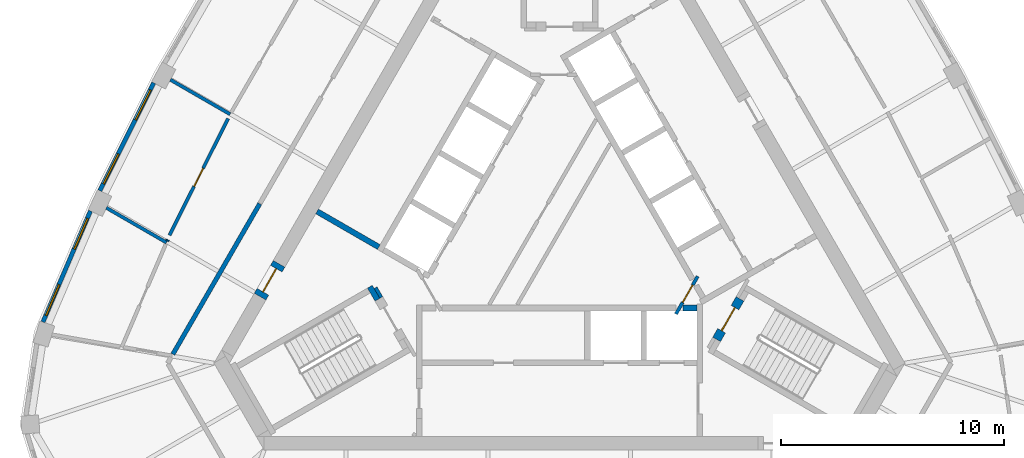
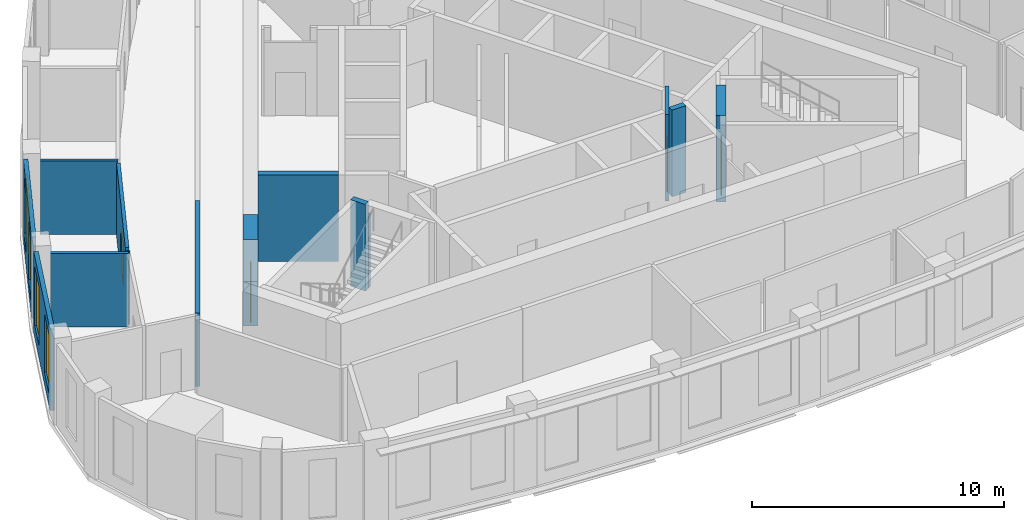
# One storey, part 4 of 10: 14 walls, 4 doors, 4 windows, 8 openings.
"""IFC4 building model written with IfcOpenShell, lengths in metres."""

from ifc_helpers import new_model, si_unit, direction, frame, frame_2d, origin, place, context, subcontext, project, spatial, rectangle, extrude, material, layer, layer_set, type_object, element, fill, save


model = new_model("IFC4")

# Units and contexts
model_context = context("Model", 3, precision=1e-05, world=origin(), true_north=direction((0.0, 1.0)))
body_context = subcontext(model_context, "Body", "Model", "MODEL_VIEW")
ifc_project = project(units=[si_unit("LENGTHUNIT", "METRE"), si_unit("AREAUNIT", "SQUARE_METRE"), si_unit("VOLUMEUNIT", "CUBIC_METRE"), si_unit("PLANEANGLEUNIT", "RADIAN"), si_unit("MASSUNIT", "GRAM", prefix="KILO")], contexts=[model_context])

# Site, building, storey
site_placement = place(None, origin())
site = spatial("IfcSite", under=ifc_project, at=site_placement, CompositionType="ELEMENT")
building_placement = place(site_placement, origin())
building = spatial("IfcBuilding", under=site, at=building_placement, Name="Mestral Congress Tower", CompositionType="ELEMENT")
storey_placement = place(building_placement, frame((0.0, 0.0, 296.39990234375)))
storey = spatial("IfcBuildingStorey", under=building, at=storey_placement, Name="L69", CompositionType="ELEMENT", Elevation=296.39990234375)

# Wall
ifc_material_1 = material(Name="Fire-rated board partition")
ifc_layer_1 = layer(ifc_material_1, 0.14990234375)
ifc_layer_set_1 = layer_set([ifc_layer_1], Name="Fire-rated board partition")
wall_type_1 = type_object("IfcWallType", Name="Core partition 150", PredefinedType="PARTITIONING", material=ifc_layer_set_1)
wall_1_placement = place(storey_placement, frame((-8.251953125, -2.958251953125, 0.0), z_axis=(0.0, 0.0, 1.0), x_axis=(0.500174715838, -0.865924508047, 0.0)))
element("IfcWall", 1, at=wall_1_placement, inside=storey, type_object=wall_type_1, Name="L69 core wall", PredefinedType="PARTITIONING", context=body_context, shape_type="SweptSolid", body=[
    extrude(rectangle(XDim=0.513916015625, YDim=0.14990234375, at=frame_2d((0.2568359375, 0.0))), origin(), (0.0, 0.0, 1.0), 3.550048828125),
])

# Wall, opening, door
ifc_material_2 = material(Name="Concrete C60/75", Category="concrete")
ifc_layer_2 = layer(ifc_material_2, 0.60009765625)
ifc_layer_set_2 = layer_set([ifc_layer_2], Name="Concrete C60/75")
wall_type_2 = type_object("IfcWallType", Name="Core wall RC 600", PredefinedType="SOLIDWALL", material=ifc_layer_set_2)
wall_2_placement = place(storey_placement, frame((-13.431640625, -3.3642578125, 0.0), z_axis=(0.0, 0.0, 1.0), x_axis=(0.500062241894, 0.865989465428, 0.0)))
wall_2 = element("IfcWall", 2, at=wall_2_placement, inside=storey, type_object=wall_type_2, Name="L69 door wall", PredefinedType="SOLIDWALL", context=body_context, shape_type="SweptSolid", body=[
    extrude(rectangle(XDim=1.699951171875, YDim=0.60009765625, at=frame_2d((0.85009765625, 0.0))), origin(), (0.0, 0.0, 1.0), 4.2001953125),
])
opening_1_placement = place(wall_2_placement, frame((0.25, 0.0, 0.0)))
opening_1 = element("IfcOpeningElement", 3, at=opening_1_placement, cuts=wall_2, Name="Opening XD3", PredefinedType="OPENING", context=body_context, shape_type="SweptSolid", body=[
    extrude(rectangle(XDim=1.199951171875, YDim=2.10009765625, at=frame_2d((0.60009765625, 1.050048828125))), frame((0.0, 0.31005859375, 0.0), z_axis=(0.0, -1.0, 0.0), x_axis=(1.0, 0.0, 0.0)), (0.0, 0.0, 1.0), 0.6201171875),
])
ifc_material_3 = material(Name="Fire-rated steel door set", Category="steel")
door_type_1 = type_object("IfcDoorType", Name="Core door XD 1200x2100", OperationType="SINGLE_SWING_LEFT", PredefinedType="DOOR", material=ifc_material_3)
door_1_placement = place(opening_1_placement, origin())
door_1 = element("IfcDoor", 4, at=door_1_placement, inside=storey, type_object=door_type_1, Name="Door XD3", OperationType="SINGLE_SWING_LEFT", OverallHeight=2.10009765625, OverallWidth=1.199951171875, PredefinedType="DOOR", context=body_context, shape_type="SweptSolid", body=[
    extrude(rectangle(XDim=1.199951171875, YDim=2.10009765625, at=frame_2d((0.60009765625, 1.050048828125))), frame((0.0, 0.02490234375, 0.0), z_axis=(0.0, -1.0, 0.0), x_axis=(1.0, 0.0, 0.0)), (0.0, 0.0, 1.0), 0.050048828125),
])
fill(opening_1, door_1)

# Wall, openings, windows
ifc_material_4 = material(Name="Precast concrete C40/50 with limestone facing", Category="masonry")
ifc_layer_3 = layer(ifc_material_4, 0.18994140625)
ifc_layer_set_3 = layer_set([ifc_layer_3], Name="Precast concrete C40/50 with limestone facing")
wall_type_3 = type_object("IfcWallType", Name="Facade stone wall 190", PredefinedType="SOLIDWALL", material=ifc_layer_set_3)
wall_3_placement = place(storey_placement, frame((-18.205810546875, 6.226806640625, 0.0), z_axis=(0.0, 0.0, 1.0), x_axis=(-0.447484531401, -0.894291671747, 0.0)))
wall_3 = element("IfcWall", 5, at=wall_3_placement, inside=storey, type_object=wall_type_3, Name="Facade wall F2-03", PredefinedType="SOLIDWALL", context=body_context, shape_type="SweptSolid", body=[
    extrude(rectangle(XDim=5.40625, YDim=0.18994140625, at=frame_2d((2.703125, 0.0))), origin(), (0.0, 0.0, 1.0), 3.9501953125),
])
opening_2_placement = place(wall_3_placement, frame((0.346435546875, 0.0, 0.60009765625)))
opening_2 = element("IfcOpeningElement", 6, at=opening_2_placement, cuts=wall_3, Name="Opening W6", PredefinedType="OPENING", context=body_context, shape_type="SweptSolid", body=[
    extrude(rectangle(XDim=1.5, YDim=2.85009765625, at=frame_2d((0.75, 1.425048828125))), frame((0.0, 0.10498046875, 0.0), z_axis=(0.0, -1.0, 0.0), x_axis=(1.0, 0.0, 0.0)), (0.0, 0.0, 1.0), 0.2099609375),
])
opening_3_placement = place(wall_3_placement, frame((3.559326171875, 0.0, 0.60009765625)))
opening_3 = element("IfcOpeningElement", 7, at=opening_3_placement, cuts=wall_3, Name="Opening W6", PredefinedType="OPENING", context=body_context, shape_type="SweptSolid", body=[
    extrude(rectangle(XDim=1.5, YDim=2.85009765625, at=frame_2d((0.75, 1.425048828125))), frame((0.0, 0.10498046875, 0.0), z_axis=(0.0, -1.0, 0.0), x_axis=(1.0, 0.0, 0.0)), (0.0, 0.0, 1.0), 0.2099609375),
])
ifc_material_5 = material(Name="Clear low-emissivity double glazing", Category="glass")
window_type = type_object("IfcWindowType", Name="Facade punched window 1500 x 2850 sill 600", PartitioningType="SINGLE_PANEL", PredefinedType="WINDOW", material=ifc_material_5)
window_1_placement = place(opening_2_placement, origin())
window_1 = element("IfcWindow", 8, at=window_1_placement, inside=storey, type_object=window_type, Name="Window F2-03a", OverallHeight=2.85009765625, OverallWidth=1.5, PartitioningType="SINGLE_PANEL", PredefinedType="WINDOW", context=body_context, shape_type="SweptSolid", body=[
    extrude(rectangle(XDim=1.5, YDim=2.85009765625, at=frame_2d((0.75, 1.425048828125))), frame((0.0, 0.044921875, 0.0), z_axis=(0.0, -1.0, 0.0), x_axis=(1.0, 0.0, 0.0)), (0.0, 0.0, 1.0), 0.06005859375),
])
fill(opening_2, window_1)
window_2_placement = place(opening_3_placement, origin())
window_2 = element("IfcWindow", 9, at=window_2_placement, inside=storey, type_object=window_type, Name="Window F2-03b", OverallHeight=2.85009765625, OverallWidth=1.5, PartitioningType="SINGLE_PANEL", PredefinedType="WINDOW", context=body_context, shape_type="SweptSolid", body=[
    extrude(rectangle(XDim=1.5, YDim=2.85009765625, at=frame_2d((0.75, 1.425048828125))), frame((0.0, 0.044921875, 0.0), z_axis=(0.0, -1.0, 0.0), x_axis=(1.0, 0.0, 0.0)), (0.0, 0.0, 1.0), 0.06005859375),
])
fill(opening_3, window_2)

wall_4_placement = place(storey_placement, frame((-21.048828125, 0.477783203125, 0.0), z_axis=(0.0, 0.0, 1.0), x_axis=(-0.393347848476, -0.919389726992, 0.0)))
wall_4 = element("IfcWall", 10, at=wall_4_placement, inside=storey, type_object=wall_type_3, Name="Facade wall F2-04", PredefinedType="SOLIDWALL", context=body_context, shape_type="SweptSolid", body=[
    extrude(rectangle(XDim=5.414794921875, YDim=0.18994140625, at=frame_2d((2.70751953125, 0.0))), origin(), (0.0, 0.0, 1.0), 3.9501953125),
])
opening_4_placement = place(wall_4_placement, frame((0.357421875, 0.0, 0.60009765625)))
opening_4 = element("IfcOpeningElement", 11, at=opening_4_placement, cuts=wall_4, Name="Opening W6", PredefinedType="OPENING", context=body_context, shape_type="SweptSolid", body=[
    extrude(rectangle(XDim=1.5, YDim=2.85009765625, at=frame_2d((0.75, 1.425048828125))), frame((0.0, 0.10498046875, 0.0), z_axis=(0.0, -1.0, 0.0), x_axis=(1.0, 0.0, 0.0)), (0.0, 0.0, 1.0), 0.2099609375),
])
opening_5_placement = place(wall_4_placement, frame((3.592529296875, 0.0, 0.60009765625)))
opening_5 = element("IfcOpeningElement", 12, at=opening_5_placement, cuts=wall_4, Name="Opening W6", PredefinedType="OPENING", context=body_context, shape_type="SweptSolid", body=[
    extrude(rectangle(XDim=1.5, YDim=2.85009765625, at=frame_2d((0.75, 1.425048828125))), frame((0.0, 0.10498046875, 0.0), z_axis=(0.0, -1.0, 0.0), x_axis=(1.0, 0.0, 0.0)), (0.0, 0.0, 1.0), 0.2099609375),
])
window_3_placement = place(opening_4_placement, origin())
window_3 = element("IfcWindow", 13, at=window_3_placement, inside=storey, type_object=window_type, Name="Window F2-04a", OverallHeight=2.85009765625, OverallWidth=1.5, PartitioningType="SINGLE_PANEL", PredefinedType="WINDOW", context=body_context, shape_type="SweptSolid", body=[
    extrude(rectangle(XDim=1.5, YDim=2.85009765625, at=frame_2d((0.75, 1.425048828125))), frame((0.0, 0.044921875, 0.0), z_axis=(0.0, -1.0, 0.0), x_axis=(1.0, 0.0, 0.0)), (0.0, 0.0, 1.0), 0.06005859375),
])
fill(opening_4, window_3)
window_4_placement = place(opening_5_placement, origin())
window_4 = element("IfcWindow", 14, at=window_4_placement, inside=storey, type_object=window_type, Name="Window F2-04b", OverallHeight=2.85009765625, OverallWidth=1.5, PartitioningType="SINGLE_PANEL", PredefinedType="WINDOW", context=body_context, shape_type="SweptSolid", body=[
    extrude(rectangle(XDim=1.5, YDim=2.85009765625, at=frame_2d((0.75, 1.425048828125))), frame((0.0, 0.044921875, 0.0), z_axis=(0.0, -1.0, 0.0), x_axis=(1.0, 0.0, 0.0)), (0.0, 0.0, 1.0), 0.06005859375),
])
fill(opening_5, window_4)

# Walls
ifc_material_6 = material(Name="Plasterboard partition on steel studs", Category="steel")
ifc_layer_4 = layer(ifc_material_6, 0.14990234375)
ifc_layer_set_4 = layer_set([ifc_layer_4], Name="Plasterboard partition on steel studs")
wall_type_4 = type_object("IfcWallType", Name="Office partition 150", PredefinedType="PARTITIONING", material=ifc_layer_set_4)
wall_5_placement = place(storey_placement, frame((-14.77734375, 4.821533203125, 0.0), z_axis=(0.0, 0.0, 1.0), x_axis=(-0.865992557167, 0.500056887695, 0.0)))
element("IfcWall", 15, at=wall_5_placement, inside=storey, type_object=wall_type_4, Name="Partition", PredefinedType="PARTITIONING", context=body_context, shape_type="SweptSolid", body=[
    extrude(rectangle(XDim=3.096435546875, YDim=0.14990234375, at=frame_2d((1.54833984375, 0.0))), origin(), (0.0, 0.0, 1.0), 3.550048828125),
])
wall_6_placement = place(storey_placement, frame((-17.634521484375, -0.935546875, 0.0), z_axis=(0.0, 0.0, 1.0), x_axis=(-0.866044607523, 0.499966736674, 0.0)))
element("IfcWall", 16, at=wall_6_placement, inside=storey, type_object=wall_type_4, Name="Partition", PredefinedType="PARTITIONING", context=body_context, shape_type="SweptSolid", body=[
    extrude(rectangle(XDim=3.114501953125, YDim=0.14990234375, at=frame_2d((1.55712890625, 0.0))), origin(), (0.0, 0.0, 1.0), 3.550048828125),
])

# Wall, opening, door
wall_7_placement = place(storey_placement, frame((-17.49658203125, -0.61328125, 0.0), z_axis=(0.0, 0.0, 1.0), x_axis=(0.447480081559, 0.89429389834, 0.0)))
wall_7 = element("IfcWall", 17, at=wall_7_placement, inside=storey, type_object=wall_type_4, Name="Partition", PredefinedType="PARTITIONING", context=body_context, shape_type="SweptSolid", body=[
    extrude(rectangle(XDim=5.86279296875, YDim=0.14990234375, at=frame_2d((2.931396484375, 0.0))), origin(), (0.0, 0.0, 1.0), 3.550048828125),
])
opening_6_placement = place(wall_7_placement, frame((2.463134765625, 0.0, 0.0)))
opening_6 = element("IfcOpeningElement", 18, at=opening_6_placement, cuts=wall_7, Name="Opening O13-015", PredefinedType="OPENING", context=body_context, shape_type="SweptSolid", body=[
    extrude(rectangle(XDim=0.89990234375, YDim=2.10009765625, at=frame_2d((0.449951171875, 1.050048828125))), frame((0.0, 0.0849609375, 0.0), z_axis=(0.0, -1.0, 0.0), x_axis=(1.0, 0.0, 0.0)), (0.0, 0.0, 1.0), 0.169921875),
])
ifc_material_7 = material(Name="Timber door set", Category="wood")
door_type_2 = type_object("IfcDoorType", Name="Office door 900x2100", OperationType="SINGLE_SWING_LEFT", PredefinedType="DOOR", material=ifc_material_7)
door_2_placement = place(opening_6_placement, origin())
door_2 = element("IfcDoor", 19, at=door_2_placement, inside=storey, type_object=door_type_2, Name="Door O13-015", OperationType="SINGLE_SWING_LEFT", OverallHeight=2.10009765625, OverallWidth=0.89990234375, PredefinedType="DOOR", context=body_context, shape_type="SweptSolid", body=[
    extrude(rectangle(XDim=0.89990234375, YDim=2.10009765625, at=frame_2d((0.449951171875, 1.050048828125))), frame((0.0, 0.02490234375, 0.0), z_axis=(0.0, -1.0, 0.0), x_axis=(1.0, 0.0, 0.0)), (0.0, 0.0, 1.0), 0.050048828125),
])
fill(opening_6, door_2)

# Walls
wall_8_placement = place(storey_placement, frame((-17.5810546875, -0.810302734375, 0.0), z_axis=(0.0, 0.0, 1.0), x_axis=(-0.390033474923, -0.92080067791, 0.0)))
element("IfcWall", 20, at=wall_8_placement, inside=storey, type_object=wall_type_4, Name="Partition", PredefinedType="PARTITIONING", context=body_context, shape_type="SweptSolid", body=[
    extrude(rectangle(XDim=0.060791015625, YDim=0.14990234375, at=frame_2d((0.0302734375, 0.0))), origin(), (0.0, 0.0, 1.0), 3.550048828125),
])
ifc_material_8 = material(Name="Dense masonry wall, plastered", Category="masonry")
ifc_layer_5 = layer(ifc_material_8, 0.199951171875)
ifc_layer_set_5 = layer_set([ifc_layer_5], Name="Dense masonry wall, plastered")
wall_type_5 = type_object("IfcWallType", Name="Office tenancy wall 200", PredefinedType="PARTITIONING", material=ifc_layer_set_5)
wall_9_placement = place(storey_placement, frame((-13.45068359375, 0.802978515625, 0.0), z_axis=(0.0, 0.0, 1.0), x_axis=(-0.499979102685, -0.866037468519, 0.0)))
element("IfcWall", 21, at=wall_9_placement, inside=storey, type_object=wall_type_5, Name="Tenancy wall", PredefinedType="PARTITIONING", context=body_context, shape_type="SweptSolid", body=[
    extrude(rectangle(XDim=7.795166015625, YDim=0.199951171875, at=frame_2d((3.8974609375, 0.0))), origin(), (0.0, 0.0, 1.0), 3.550048828125),
])
ifc_layer_6 = layer(ifc_material_2, 0.25)
ifc_layer_set_6 = layer_set([ifc_layer_6], Name="Concrete C60/75")
wall_type_6 = type_object("IfcWallType", Name="Shaft wall RC 250", PredefinedType="SOLIDWALL", material=ifc_layer_set_6)
wall_10_placement = place(storey_placement, frame((5.538330078125, -3.875, 0.0), z_axis=(0.0, 0.0, 1.0), x_axis=(1.0, 0.0, 0.0)))
element("IfcWall", 22, at=wall_10_placement, inside=storey, type_object=wall_type_6, Name="L69 core wall", PredefinedType="SOLIDWALL", context=body_context, shape_type="SweptSolid", body=[
    extrude(rectangle(XDim=0.63671875, YDim=0.25, at=frame_2d((0.318359375, 0.0))), origin(), (0.0, 0.0, 1.0), 4.2001953125),
])
wall_11_placement = place(storey_placement, frame((-8.10595703125, -1.139892578125, 0.0), z_axis=(0.0, 0.0, 1.0), x_axis=(-0.866008981251, 0.500028443584, 0.0)))
element("IfcWall", 23, at=wall_11_placement, inside=storey, type_object=wall_type_6, Name="L69 core wall", PredefinedType="SOLIDWALL", context=body_context, shape_type="SweptSolid", body=[
    extrude(rectangle(XDim=3.199951171875, YDim=0.25, at=frame_2d((1.60009765625, 0.0))), origin(), (0.0, 0.0, 1.0), 4.2001953125),
])

# Wall, opening, door
ifc_layer_7 = layer(ifc_material_2, 0.14990234375)
ifc_layer_set_7 = layer_set([ifc_layer_7], Name="Concrete C60/75")
wall_type_7 = type_object("IfcWallType", Name="Shaft wall RC 250 door-wall 150", PredefinedType="SOLIDWALL", material=ifc_layer_set_7)
wall_12_placement = place(storey_placement, frame((6.203369140625, -2.45556640625, 0.0), z_axis=(0.0, 0.0, 1.0), x_axis=(-0.500043961785, -0.866000020948, 0.0)))
wall_12 = element("IfcWall", 24, at=wall_12_placement, inside=storey, type_object=wall_type_7, Name="L69 door wall", PredefinedType="PARTITIONING", context=body_context, shape_type="SweptSolid", body=[
    extrude(rectangle(XDim=1.949951171875, YDim=0.14990234375, at=frame_2d((0.97509765625, 0.0))), origin(), (0.0, 0.0, 1.0), 4.2001953125),
])
opening_7_placement = place(wall_12_placement, frame((0.449951171875, 0.0, 0.0)))
opening_7 = element("IfcOpeningElement", 25, at=opening_7_placement, cuts=wall_12, Name="Opening CD1-HUB0", PredefinedType="OPENING", context=body_context, shape_type="SweptSolid", body=[
    extrude(rectangle(XDim=0.89990234375, YDim=2.10009765625, at=frame_2d((0.449951171875, 1.050048828125))), frame((0.0, 0.0849609375, 0.0), z_axis=(0.0, -1.0, 0.0), x_axis=(1.0, 0.0, 0.0)), (0.0, 0.0, 1.0), 0.169921875),
])
door_type_3 = type_object("IfcDoorType", Name="Core door CD 900x2100", OperationType="SINGLE_SWING_LEFT", PredefinedType="DOOR", material=ifc_material_3)
door_3_placement = place(opening_7_placement, origin())
door_3 = element("IfcDoor", 26, at=door_3_placement, inside=storey, type_object=door_type_3, Name="Door CD1-HUB0", OperationType="SINGLE_SWING_LEFT", OverallHeight=2.10009765625, OverallWidth=0.89990234375, PredefinedType="DOOR", context=body_context, shape_type="SweptSolid", body=[
    extrude(rectangle(XDim=0.89990234375, YDim=2.10009765625, at=frame_2d((0.449951171875, 1.050048828125))), frame((0.0, 0.02490234375, 0.0), z_axis=(0.0, -1.0, 0.0), x_axis=(1.0, 0.0, 0.0)), (0.0, 0.0, 1.0), 0.050048828125),
])
fill(opening_7, door_3)

# Wall
ifc_layer_8 = layer(ifc_material_2, 0.25)
ifc_layer_set_8 = layer_set([ifc_layer_8], Name="Concrete C60/75")
wall_type_8 = type_object("IfcWallType", Name="Stair wall RC 250", PredefinedType="SOLIDWALL", material=ifc_layer_set_8)
wall_13_placement = place(storey_placement, frame((-8.167724609375, -3.503173828125, 0.0), z_axis=(0.0, 0.0, 1.0), x_axis=(-0.499952099219, 0.866053057547, 0.0)))
element("IfcWall", 27, at=wall_13_placement, inside=storey, type_object=wall_type_8, Name="L69 core wall", PredefinedType="SOLIDWALL", context=body_context, shape_type="SweptSolid", body=[
    extrude(rectangle(XDim=0.6748046875, YDim=0.25, at=frame_2d((0.33740234375, 0.0))), origin(), (0.0, 0.0, 1.0), 4.2001953125),
])

# Wall, opening, door
ifc_layer_9 = layer(ifc_material_2, 0.39990234375)
ifc_layer_set_9 = layer_set([ifc_layer_9], Name="Concrete C60/75")
wall_type_9 = type_object("IfcWallType", Name="Stair wall RC 250 door-wall 400", PredefinedType="SOLIDWALL", material=ifc_layer_set_9)
wall_14_placement = place(storey_placement, frame((7.052734375, -5.2841796875, 0.0), z_axis=(0.0, 0.0, 1.0), x_axis=(0.500078061341, 0.865980330357, 0.0)))
wall_14 = element("IfcWall", 28, at=wall_14_placement, inside=storey, type_object=wall_type_9, Name="L69 door wall", PredefinedType="SOLIDWALL", context=body_context, shape_type="SweptSolid", body=[
    extrude(rectangle(XDim=2.099853515625, YDim=0.39990234375, at=frame_2d((1.0498046875, 0.0))), origin(), (0.0, 0.0, 1.0), 4.2001953125),
])
opening_8_placement = place(wall_14_placement, frame((0.449951171875, 0.0, 0.0)))
opening_8 = element("IfcOpeningElement", 29, at=opening_8_placement, cuts=wall_14, Name="Opening ST-D1", PredefinedType="OPENING", context=body_context, shape_type="SweptSolid", body=[
    extrude(rectangle(XDim=1.199951171875, YDim=2.10009765625, at=frame_2d((0.60009765625, 1.050048828125))), frame((0.0, 0.2099609375, 0.0), z_axis=(0.0, -1.0, 0.0), x_axis=(1.0, 0.0, 0.0)), (0.0, 0.0, 1.0), 0.419921875),
])
door_type_4 = type_object("IfcDoorType", Name="Core door ST 1200x2100", OperationType="SINGLE_SWING_LEFT", PredefinedType="DOOR", material=ifc_material_3)
door_4_placement = place(opening_8_placement, origin())
door_4 = element("IfcDoor", 30, at=door_4_placement, inside=storey, type_object=door_type_4, Name="Door ST-D1", OperationType="SINGLE_SWING_LEFT", OverallHeight=2.10009765625, OverallWidth=1.199951171875, PredefinedType="DOOR", context=body_context, shape_type="SweptSolid", body=[
    extrude(rectangle(XDim=1.199951171875, YDim=2.10009765625, at=frame_2d((0.60009765625, 1.050048828125))), frame((0.0, 0.02490234375, 0.0), z_axis=(0.0, -1.0, 0.0), x_axis=(1.0, 0.0, 0.0)), (0.0, 0.0, 1.0), 0.050048828125),
])
fill(opening_8, door_4)

save(model, "model.ifc")
